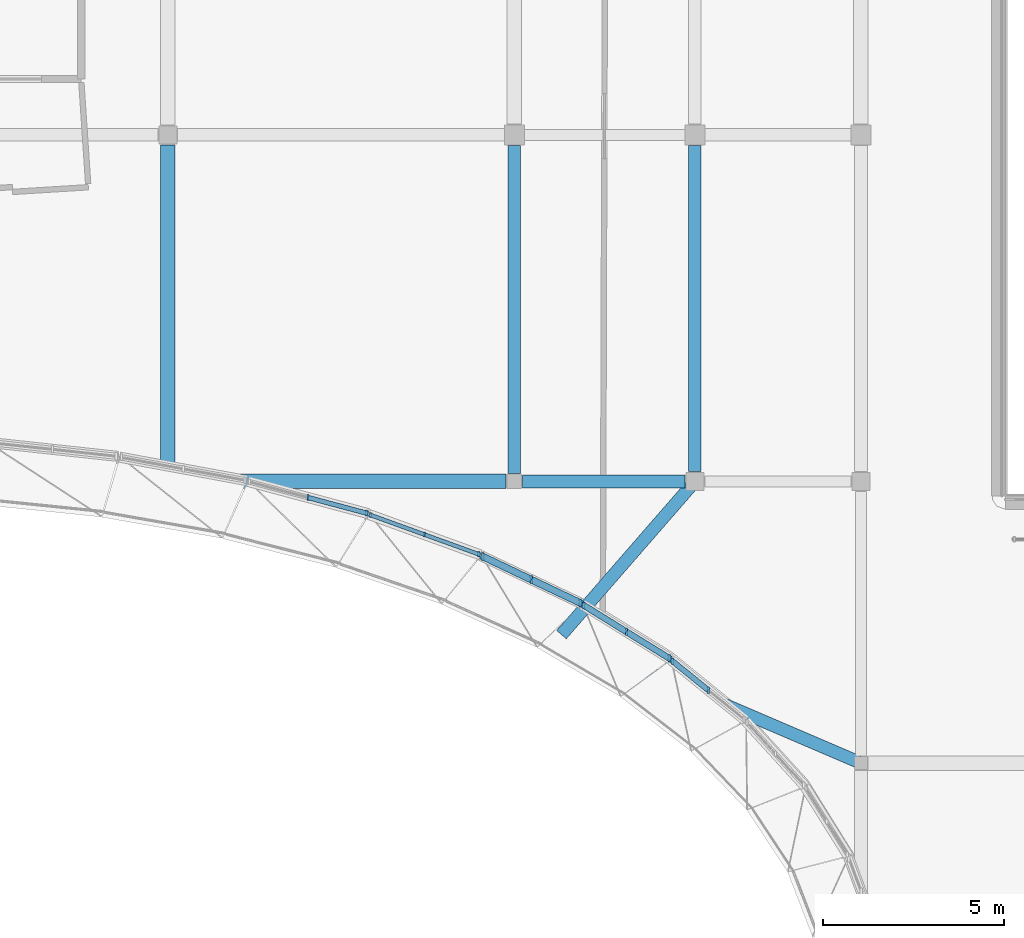
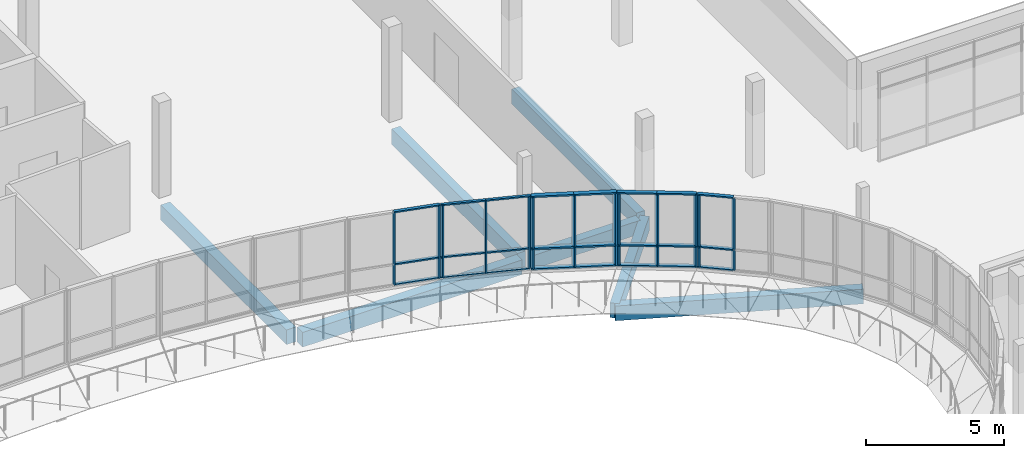
# One storey, part 24 of 84: 37 members, 7 beams, 5 elements without a shape of their own.
"""IFC4 building model written with IfcOpenShell, lengths in metres."""

import ifcopenshell
import ifcopenshell.guid

model = None  # the IFC model being written
_history = None  # IfcOwnerHistory: only IFC2X3 demands one
_inside = {}  # id of a spatial element -> (the spatial element, [elements in it])
_under = {}  # id of a project, library or spatial element -> (it, [spatial elements below it])
_declared = {}  # id of a project -> (the project, [libraries it declares])
_typed = {}  # id of a type object -> (the type object, [elements of that type])
_made_of = {}  # id of a material, layer set ... -> (it, [elements and type objects made of it])


def new_model(schema):
    """Start an empty IFC model of exactly this schema.

    Asked for "IFC4X3", IfcOpenShell would pick the latest addendum, in which some entities
    have other attributes; the version numbers below select the first issue.
    IFC2X3 requires an IfcOwnerHistory on every rooted entity: one is made here for all.
    """
    global model, _history
    if schema == "IFC4X3":
        model = ifcopenshell.file(schema_version=(4, 3, 0, 0))
    else:
        model = ifcopenshell.file(schema=schema)
    _inside.clear()
    _under.clear()
    _declared.clear()
    _typed.clear()
    _made_of.clear()
    _history = None
    if model.schema == "IFC2X3":
        org = make("IfcOrganization", Name="unknown")
        user = make(
            "IfcPersonAndOrganization",
            ThePerson=make("IfcPerson", FamilyName="unknown"),
            TheOrganization=org,
        )
        app = make(
            "IfcApplication",
            ApplicationDeveloper=org,
            Version="unknown",
            ApplicationFullName="unknown",
            ApplicationIdentifier="unknown",
        )
        _history = make(
            "IfcOwnerHistory",
            OwningUser=user,
            OwningApplication=app,
            ChangeAction="ADDED",
            CreationDate=0,
        )
    return model


def make(cls, **values):
    """One entity of the class cls with the attributes given. An attribute that is None is left unset."""
    return model.create_entity(
        cls, **{name: value for name, value in values.items() if value is not None}
    )


def rooted(cls, **values):
    """An entity with a GlobalId (a new one), such as an element, a storey or a relation."""
    return make(cls, GlobalId=ifcopenshell.guid.new(), OwnerHistory=_history, **values)


def si_unit(unit_type, name, prefix=None):
    """IfcSIUnit, for example si_unit("LENGTHUNIT", "METRE", prefix="MILLI")."""
    return make("IfcSIUnit", UnitType=unit_type, Prefix=prefix, Name=name)


def assignment(units):
    """IfcUnitAssignment: the units of a project."""
    return None if units is None else make("IfcUnitAssignment", Units=units)


def point(xyz):
    """IfcCartesianPoint."""
    return None if xyz is None else make("IfcCartesianPoint", Coordinates=xyz)


def direction(xyz):
    """IfcDirection."""
    return None if xyz is None else make("IfcDirection", DirectionRatios=xyz)


def frame(location, z_axis=None, x_axis=None):
    """IfcAxis2Placement3D, a coordinate frame: its origin and axes. An axis left out is left unset."""
    return make(
        "IfcAxis2Placement3D",
        Location=point(location),
        Axis=direction(z_axis),
        RefDirection=direction(x_axis),
    )


def frame_2d(location, x_axis=None):
    """IfcAxis2Placement2D, a coordinate frame in the plane: its origin and x axis."""
    return make(
        "IfcAxis2Placement2D", Location=point(location), RefDirection=direction(x_axis)
    )


def origin():
    """The frame at (0, 0, 0) with its axes left unset."""
    return frame((0.0, 0.0, 0.0))


def origin_2d():
    """The frame at (0, 0) in the plane with its x axis left unset."""
    return frame_2d((0.0, 0.0))


def place(relative_to, where):
    """IfcLocalPlacement: puts the frame where relative to a parent placement (None: the world)."""
    return make(
        "IfcLocalPlacement", PlacementRelTo=relative_to, RelativePlacement=where
    )


def context(
    kind, dimensions, precision=None, world=None, true_north=None, identifier=None
):
    """IfcGeometricRepresentationContext, for example the 3D "Model" context."""
    return make(
        "IfcGeometricRepresentationContext",
        ContextIdentifier=identifier,
        ContextType=kind,
        CoordinateSpaceDimension=dimensions,
        Precision=precision,
        WorldCoordinateSystem=world,
        TrueNorth=true_north,
    )


def subcontext(parent, identifier, kind, view, scale=None):
    """IfcGeometricRepresentationSubContext, for example "Body" below "Model"."""
    return make(
        "IfcGeometricRepresentationSubContext",
        ContextIdentifier=identifier,
        ContextType=kind,
        ParentContext=parent,
        TargetScale=scale,
        TargetView=view,
    )


def project(units=None, contexts=None):
    """IfcProject with its units and contexts."""
    return rooted(
        "IfcProject",
        Name="project",
        RepresentationContexts=contexts,
        UnitsInContext=assignment(units),
    )


def spatial(cls, under=None, at=None, **own):
    """A site, building, storey or space (cls), placed at a placement, below another one or the project."""
    s = rooted(cls, ObjectPlacement=at, **own)
    if under is not None:
        _under.setdefault(under.id(), (under, []))[1].append(s)
    return s


def profile(cls, at=None, kind="AREA", **sizes):
    """A parametric profile (cls). Its sizes go by their IFC names, for example OverallWidth=200.0."""
    return make(cls, ProfileType=kind, Position=at, **sizes)


def rectangle(**sizes):
    """IfcRectangleProfileDef."""
    return profile("IfcRectangleProfileDef", **sizes)


def extrude(swept, where, along, depth):
    """IfcExtrudedAreaSolid: the profile swept, set in the frame where, extruded along a direction by depth."""
    return make(
        "IfcExtrudedAreaSolid",
        SweptArea=swept,
        Position=where,
        ExtrudedDirection=direction(along),
        Depth=depth,
    )


def shape(context_of_items, identifier, shape_type, items):
    """IfcShapeRepresentation: the items that make up one representation, for example the "Body"."""
    return make(
        "IfcShapeRepresentation",
        ContextOfItems=context_of_items,
        RepresentationIdentifier=identifier,
        RepresentationType=shape_type,
        Items=items,
    )


def material(Name=None, Category=None):
    """IfcMaterial."""
    return make("IfcMaterial", Name=Name, Category=Category)


def material_profile(
    of_material, cross_section, Name=None, Category=None, Priority=None
):
    """IfcMaterialProfile: a cross section and its material."""
    return make(
        "IfcMaterialProfile",
        Name=Name,
        Material=of_material,
        Profile=cross_section,
        Priority=Priority,
        Category=Category,
    )


def profile_set(profiles, Name=None, composite=None):
    """IfcMaterialProfileSet."""
    return make(
        "IfcMaterialProfileSet",
        Name=Name,
        MaterialProfiles=profiles,
        CompositeProfile=composite,
    )


def made_of(thing, what):
    """Note that an element or type object is made of a material, layer set ...; save() writes the relation."""
    if what is not None:
        _made_of.setdefault(what.id(), (what, []))[1].append(thing)
    return thing


def type_object(cls, material=None, **own):
    """A type object (cls), such as IfcWallType, which elements share."""
    return made_of(rooted(cls, **own), material)


def element(
    cls,
    number,
    at=None,
    inside=None,
    cuts=None,
    type_object=None,
    material=None,
    context=None,
    identifier="Body",
    shape_type=None,
    held_by="IfcProductDefinitionShape",
    body=None,
    shapes=None,
    **own,
):
    """One element of the class cls, such as IfcWall. Its Tag is "e" and its number.

    at: its placement. inside: the storey or other place that contains it. cuts: it is an
    opening in that element (IfcRelVoidsElement). A single representation is given by context,
    identifier, shape_type and body (its items); several are given by shapes. held_by: the class
    of the entity that holds the representations. save() writes the other relations.
    """
    e = rooted(cls, Tag="e%d" % number, ObjectPlacement=at, **own)
    if body is not None:
        shapes = [shape(context, identifier, shape_type, body)]
    if shapes is not None:
        e.Representation = make(held_by, Representations=shapes)
    if inside is not None:
        _inside.setdefault(inside.id(), (inside, []))[1].append(e)
    if cuts is not None:
        rooted(
            "IfcRelVoidsElement", RelatingBuildingElement=cuts, RelatedOpeningElement=e
        )
    if type_object is not None:
        _typed.setdefault(type_object.id(), (type_object, []))[1].append(e)
    return made_of(e, material)


def aggregate(whole, parts):
    """IfcRelAggregates: a whole, such as a stair, and the parts it consists of."""
    return rooted("IfcRelAggregates", RelatingObject=whole, RelatedObjects=parts)


def save(model, path):
    """Write the relations noted so far, then the file.

    IfcRelAggregates (storeys below a building ...), IfcRelContainedInSpatialStructure (elements
    in a storey), IfcRelDefinesByType, IfcRelAssociatesMaterial and IfcRelDeclares: one each for
    every whole, place, type object, material and project.
    """
    for whole, parts in _under.values():
        aggregate(whole, parts)
    for where, things in _inside.values():
        rooted(
            "IfcRelContainedInSpatialStructure",
            RelatedElements=things,
            RelatingStructure=where,
        )
    for kind, things in _typed.values():
        rooted("IfcRelDefinesByType", RelatedObjects=things, RelatingType=kind)
    for what, things in _made_of.values():
        rooted("IfcRelAssociatesMaterial", RelatedObjects=things, RelatingMaterial=what)
    for by, libraries in _declared.values():
        rooted("IfcRelDeclares", RelatingContext=by, RelatedDefinitions=libraries)
    model.write(path)


model = new_model("IFC4")

# Units and contexts
model_context = context("Model", 3, precision=1e-05, world=origin(), true_north=direction((0.0, 1.0)))
body_context = subcontext(model_context, "Body", "Model", "MODEL_VIEW")
ifc_project = project(units=[si_unit("LENGTHUNIT", "METRE"), si_unit("AREAUNIT", "SQUARE_METRE"), si_unit("VOLUMEUNIT", "CUBIC_METRE"), si_unit("PLANEANGLEUNIT", "RADIAN"), si_unit("MASSUNIT", "GRAM", prefix="KILO")], contexts=[model_context])

# Site, building, storey
site_placement = place(None, origin())
site = spatial("IfcSite", under=ifc_project, at=site_placement, CompositionType="ELEMENT")
building_placement = place(site_placement, origin())
building = spatial("IfcBuilding", under=site, at=building_placement, Name="Mzevani Central Library", CompositionType="ELEMENT")
storey_placement = place(building_placement, frame((0.0, 0.0, 5.39990234375)))
storey = spatial("IfcBuildingStorey", under=building, at=storey_placement, Name="L01", CompositionType="ELEMENT", Elevation=5.39990234375)

# Beams
ifc_material_1 = material(Name="Concrete C35/45", Category="concrete")
ifc_material_profile_1 = material_profile(ifc_material_1, rectangle(XDim=0.35009765625, YDim=0.60009765625, at=origin_2d()), Name="RC B350x600")
ifc_profile_set_1 = profile_set([ifc_material_profile_1], Name="Concrete C35/45")
beam_type_1 = type_object("IfcBeamType", Name="Beam RC 350x600", PredefinedType="BEAM", material=ifc_profile_set_1)
beam_1_placement = place(storey_placement, frame((102.625, 90.39990234375, -0.579833984375), z_axis=(1.0, 0.0, 0.0), x_axis=(0.0, 1.0, 0.0)))
element("IfcBeam", 1, at=beam_1_placement, inside=storey, type_object=beam_type_1, Name="L01 V3 Girder B-04 (459)", PredefinedType="BEAM", context=body_context, shape_type="SweptSolid", body=[
    extrude(rectangle(XDim=0.35009765625, YDim=0.60009765625, at=origin_2d()), origin(), (0.0, 0.0, 1.0), 4.5),
])
ifc_material_profile_2 = material_profile(ifc_material_1, rectangle(XDim=0.35009765625, YDim=0.64990234375, at=origin_2d()), Name="RC B350x650")
ifc_profile_set_2 = profile_set([ifc_material_profile_2], Name="Concrete C35/45")
beam_type_2 = type_object("IfcBeamType", Name="Beam RC 350x650", PredefinedType="BEAM", material=ifc_profile_set_2)
beam_2_placement = place(storey_placement, frame((107.39990234375, 90.675048828125, -0.60498046875), z_axis=(0.0, 1.0, 0.0), x_axis=(-1.0, 0.0, 0.0)))
element("IfcBeam", 2, at=beam_2_placement, inside=storey, type_object=beam_type_2, Name="L01 V3 Frame Beam B-05 (516)", PredefinedType="BEAM", context=body_context, shape_type="SweptSolid", body=[
    extrude(rectangle(XDim=0.35009765625, YDim=0.64990234375, at=origin_2d()), origin(), (0.0, 0.0, 1.0), 9.02490234375),
])
beam_3_placement = place(storey_placement, frame((112.0, 82.60009765625, -0.60498046875), z_axis=(-0.919090446038, 0.394046636835, 0.0), x_axis=(-0.394046636835, -0.919090446038, 0.0)))
element("IfcBeam", 3, at=beam_3_placement, inside=storey, type_object=beam_type_2, Name="L01 V3 Court Ring Beam 3", PredefinedType="BEAM", context=body_context, shape_type="SweptSolid", body=[
    extrude(rectangle(XDim=0.35009765625, YDim=0.64990234375, at=origin_2d()), origin(), (0.0, 0.0, 1.0), 9.024169921875),
])
beam_4_placement = place(storey_placement, frame((103.7060546875, 86.156005859375, -0.60498046875), z_axis=(0.656533165008, 0.754297158449, 0.0), x_axis=(-0.754297158449, 0.656533165008, 0.0)))
element("IfcBeam", 4, at=beam_4_placement, inside=storey, type_object=beam_type_2, Name="L01 V3 Court Ring Beam 4", PredefinedType="BEAM", context=body_context, shape_type="SweptSolid", body=[
    extrude(rectangle(XDim=0.35009765625, YDim=0.64990234375, at=origin_2d()), origin(), (0.0, 0.0, 1.0), 5.626220703125),
])
ifc_material_profile_3 = material_profile(ifc_material_1, rectangle(XDim=0.35009765625, YDim=0.699951171875, at=origin_2d()), Name="RC B350x700")
ifc_profile_set_3 = profile_set([ifc_material_profile_3], Name="Concrete C35/45")
beam_type_3 = type_object("IfcBeamType", Name="Beam RC 350x700", PredefinedType="BEAM", material=ifc_profile_set_3)
beam_5_placement = place(storey_placement, frame((102.39990234375, 90.625, -0.6298828125), z_axis=(0.0, 1.0, 0.0), x_axis=(-1.0, 0.0, 0.0)))
element("IfcBeam", 5, at=beam_5_placement, inside=storey, type_object=beam_type_3, Name="L01 V3 Frame Beam B-06 (513)", PredefinedType="BEAM", context=body_context, shape_type="SweptSolid", body=[
    extrude(rectangle(XDim=0.35009765625, YDim=0.699951171875, at=origin_2d()), origin(), (0.0, 0.0, 1.0), 9.074951171875),
])
ifc_material_profile_4 = material_profile(ifc_material_1, rectangle(XDim=0.39990234375, YDim=0.64990234375, at=origin_2d()), Name="RC B400x650")
ifc_profile_set_4 = profile_set([ifc_material_profile_4], Name="Concrete C35/45")
beam_type_4 = type_object("IfcBeamType", Name="Beam RC 400x650", PredefinedType="BEAM", material=ifc_profile_set_4)
beam_6_placement = place(storey_placement, frame((93.02490234375, 90.39990234375, -0.60498046875), z_axis=(1.0, 0.0, 0.0), x_axis=(0.0, 1.0, 0.0)))
element("IfcBeam", 6, at=beam_6_placement, inside=storey, type_object=beam_type_4, Name="L01 V3 Girder B-07 (458)", PredefinedType="BEAM", context=body_context, shape_type="SweptSolid", body=[
    extrude(rectangle(XDim=0.39990234375, YDim=0.64990234375, at=origin_2d()), origin(), (0.0, 0.0, 1.0), 9.150146484375),
])
beam_7_placement = place(storey_placement, frame((92.800048828125, 90.625, -0.60498046875), z_axis=(0.0, 1.0, 0.0), x_axis=(-1.0, 0.0, 0.0)))
element("IfcBeam", 7, at=beam_7_placement, inside=storey, type_object=beam_type_4, Name="L01 V3 Frame Beam B-07 (510)", PredefinedType="BEAM", context=body_context, shape_type="SweptSolid", body=[
    extrude(rectangle(XDim=0.39990234375, YDim=0.64990234375, at=origin_2d()), origin(), (0.0, 0.0, 1.0), 9.10009765625),
])

# Curtain wall, members
ifc_material_2 = material(Name="Thermally broken aluminium and Low-E triple glazing", Category="aluminium")
curtain_wall_type_1 = type_object("IfcCurtainWallType", Name="Elliptical Court Unitised Curtain Wall", PredefinedType="NOTDEFINED", material=ifc_material_2)
curtain_wall_1_placement = place(storey_placement, origin())
curtain_wall_1 = element("IfcCurtainWall", 8, at=curtain_wall_1_placement, inside=storey, type_object=curtain_wall_type_1, Name="L01 Elliptical Court Curtain Wall 8", PredefinedType="NOTDEFINED")
ifc_material_3 = material(Name="Thermally broken aluminium AW-6060", Category="aluminium")
ifc_material_profile_5 = material_profile(ifc_material_3, rectangle(XDim=0.06005859375, YDim=0.139892578125, at=origin_2d()), Name="ALU M60x140")
ifc_profile_set_5 = profile_set([ifc_material_profile_5], Name="Thermally broken aluminium AW-6060")
member_type_1 = type_object("IfcMemberType", Name="CW Mullion 60x140", PredefinedType="MULLION", material=ifc_profile_set_5)
member_1_placement = place(storey_placement, frame((101.41259765625, 88.383056640625, 0.72021484375), z_axis=(0.0, 0.0, 1.0), x_axis=(1.0, 0.0, 0.0)))
member_1 = element("IfcMember", 9, at=member_1_placement, type_object=member_type_1, Name="L01 Elliptical Court Curtain Wall 8 Mullion 1", PredefinedType="MULLION", context=body_context, shape_type="SweptSolid", body=[
    extrude(rectangle(XDim=0.06005859375, YDim=0.139892578125, at=origin_2d()), origin(), (0.0, 0.0, 1.0), 3.199951171875),
])
member_2_placement = place(storey_placement, frame((99.915283203125, 88.926025390625, 0.72021484375), z_axis=(0.0, 0.0, 1.0), x_axis=(1.0, 0.0, 0.0)))
member_2 = element("IfcMember", 10, at=member_2_placement, type_object=member_type_1, Name="L01 Elliptical Court Curtain Wall 8 Mullion 2", PredefinedType="MULLION", context=body_context, shape_type="SweptSolid", body=[
    extrude(rectangle(XDim=0.06005859375, YDim=0.139892578125, at=origin_2d()), origin(), (0.0, 0.0, 1.0), 3.199951171875),
])
member_3_placement = place(storey_placement, frame((98.417724609375, 89.468994140625, 0.72021484375), z_axis=(0.0, 0.0, 1.0), x_axis=(1.0, 0.0, 0.0)))
member_3 = element("IfcMember", 11, at=member_3_placement, type_object=member_type_1, Name="L01 Elliptical Court Curtain Wall 8 Mullion 3", PredefinedType="MULLION", context=body_context, shape_type="SweptSolid", body=[
    extrude(rectangle(XDim=0.06005859375, YDim=0.139892578125, at=origin_2d()), origin(), (0.0, 0.0, 1.0), 3.199951171875),
])

curtain_wall_2_placement = place(storey_placement, origin())
curtain_wall_2 = element("IfcCurtainWall", 12, at=curtain_wall_2_placement, inside=storey, type_object=curtain_wall_type_1, Name="L01 Elliptical Court Curtain Wall 9", PredefinedType="NOTDEFINED")
ifc_material_profile_6 = material_profile(ifc_material_3, rectangle(XDim=0.06005859375, YDim=0.159912109375, at=origin_2d()), Name="ALU M60x160")
ifc_profile_set_6 = profile_set([ifc_material_profile_6], Name="Thermally broken aluminium AW-6060")
member_type_2 = type_object("IfcMemberType", Name="CW Mullion 60x160", PredefinedType="MULLION", material=ifc_profile_set_6)
member_4_placement = place(storey_placement, frame((98.2998046875, 89.523193359375, 0.72021484375), z_axis=(0.0, 0.0, 1.0), x_axis=(1.0, 0.0, 0.0)))
member_4 = element("IfcMember", 13, at=member_4_placement, type_object=member_type_2, Name="L01 Elliptical Court Curtain Wall 9 Mullion 1", PredefinedType="MULLION", context=body_context, shape_type="SweptSolid", body=[
    extrude(rectangle(XDim=0.06005859375, YDim=0.159912109375, at=origin_2d()), origin(), (0.0, 0.0, 1.0), 3.199951171875),
])
member_5_placement = place(storey_placement, frame((96.68212890625, 89.9560546875, 0.72021484375), z_axis=(0.0, 0.0, 1.0), x_axis=(1.0, 0.0, 0.0)))
member_5 = element("IfcMember", 14, at=member_5_placement, type_object=member_type_2, Name="L01 Elliptical Court Curtain Wall 9 Mullion 2", PredefinedType="MULLION", context=body_context, shape_type="SweptSolid", body=[
    extrude(rectangle(XDim=0.06005859375, YDim=0.159912109375, at=origin_2d()), origin(), (0.0, 0.0, 1.0), 3.199951171875),
])

curtain_wall_3_placement = place(storey_placement, origin())
curtain_wall_3 = element("IfcCurtainWall", 15, at=curtain_wall_3_placement, inside=storey, type_object=curtain_wall_type_1, Name="L01 Elliptical Court Curtain Wall 5", PredefinedType="NOTDEFINED")
ifc_material_profile_7 = material_profile(ifc_material_3, rectangle(XDim=0.06005859375, YDim=0.179931640625, at=origin_2d()), Name="ALU M60x180")
ifc_profile_set_7 = profile_set([ifc_material_profile_7], Name="Thermally broken aluminium AW-6060")
member_type_3 = type_object("IfcMemberType", Name="CW Mullion 60x180", PredefinedType="MULLION", material=ifc_profile_set_7)
member_6_placement = place(storey_placement, frame((107.77001953125, 84.619384765625, 0.72021484375), z_axis=(0.0, 0.0, 1.0), x_axis=(1.0, 0.0, 0.0)))
member_6 = element("IfcMember", 16, at=member_6_placement, type_object=member_type_3, Name="L01 Elliptical Court Curtain Wall 5 Mullion 2", PredefinedType="MULLION", context=body_context, shape_type="SweptSolid", body=[
    extrude(rectangle(XDim=0.06005859375, YDim=0.179931640625, at=origin_2d()), origin(), (0.0, 0.0, 1.0), 3.199951171875),
])
member_7_placement = place(storey_placement, frame((106.77685546875, 85.42578125, 0.72021484375), z_axis=(0.0, 0.0, 1.0), x_axis=(1.0, 0.0, 0.0)))
member_7 = element("IfcMember", 17, at=member_7_placement, type_object=member_type_3, Name="L01 Elliptical Court Curtain Wall 5 Mullion 3", PredefinedType="MULLION", context=body_context, shape_type="SweptSolid", body=[
    extrude(rectangle(XDim=0.06005859375, YDim=0.179931640625, at=origin_2d()), origin(), (0.0, 0.0, 1.0), 3.199951171875),
])

curtain_wall_4_placement = place(storey_placement, origin())
curtain_wall_4 = element("IfcCurtainWall", 18, at=curtain_wall_4_placement, inside=storey, type_object=curtain_wall_type_1, Name="L01 Elliptical Court Curtain Wall 6", PredefinedType="NOTDEFINED")
ifc_material_profile_8 = material_profile(ifc_material_3, rectangle(XDim=0.06494140625, YDim=0.199951171875, at=origin_2d()), Name="ALU M65x200")
ifc_profile_set_8 = profile_set([ifc_material_profile_8], Name="Thermally broken aluminium AW-6060")
member_type_4 = type_object("IfcMemberType", Name="CW Mullion 65x200", PredefinedType="MULLION", material=ifc_profile_set_8)
member_8_placement = place(storey_placement, frame((106.6875, 85.50341796875, 0.72021484375), z_axis=(0.0, 0.0, 1.0), x_axis=(1.0, 0.0, 0.0)))
member_8 = element("IfcMember", 19, at=member_8_placement, type_object=member_type_4, Name="L01 Elliptical Court Curtain Wall 6 Mullion 1", PredefinedType="MULLION", context=body_context, shape_type="SweptSolid", body=[
    extrude(rectangle(XDim=0.06494140625, YDim=0.199951171875, at=origin_2d()), origin(), (0.0, 0.0, 1.0), 3.199951171875),
])
member_9_placement = place(storey_placement, frame((105.505126953125, 86.23486328125, 0.72021484375), z_axis=(0.0, 0.0, 1.0), x_axis=(1.0, 0.0, 0.0)))
member_9 = element("IfcMember", 20, at=member_9_placement, type_object=member_type_4, Name="L01 Elliptical Court Curtain Wall 6 Mullion 2", PredefinedType="MULLION", context=body_context, shape_type="SweptSolid", body=[
    extrude(rectangle(XDim=0.06494140625, YDim=0.199951171875, at=origin_2d()), origin(), (0.0, 0.0, 1.0), 3.199951171875),
])
member_10_placement = place(storey_placement, frame((104.322998046875, 86.96630859375, 0.72021484375), z_axis=(0.0, 0.0, 1.0), x_axis=(1.0, 0.0, 0.0)))
member_10 = element("IfcMember", 21, at=member_10_placement, type_object=member_type_4, Name="L01 Elliptical Court Curtain Wall 6 Mullion 3", PredefinedType="MULLION", context=body_context, shape_type="SweptSolid", body=[
    extrude(rectangle(XDim=0.06494140625, YDim=0.199951171875, at=origin_2d()), origin(), (0.0, 0.0, 1.0), 3.199951171875),
])

curtain_wall_type_2 = type_object("IfcCurtainWallType", Name="Reading Hall Northlight Curtain Wall", PredefinedType="NOTDEFINED", material=ifc_material_2)
curtain_wall_5_placement = place(storey_placement, origin())
curtain_wall_5 = element("IfcCurtainWall", 22, at=curtain_wall_5_placement, inside=storey, type_object=curtain_wall_type_2, Name="L01 Elliptical Court Curtain Wall 7", PredefinedType="NOTDEFINED")
ifc_material_profile_9 = material_profile(ifc_material_3, rectangle(XDim=0.070068359375, YDim=0.219970703125, at=origin_2d()), Name="ALU M70x220")
ifc_profile_set_9 = profile_set([ifc_material_profile_9], Name="Thermally broken aluminium AW-6060")
member_type_5 = type_object("IfcMemberType", Name="CW Mullion 70x220", PredefinedType="MULLION", material=ifc_profile_set_9)
member_11_placement = place(storey_placement, frame((104.2236328125, 87.035400390625, 0.72021484375), z_axis=(0.0, 0.0, 1.0), x_axis=(1.0, 0.0, 0.0)))
member_11 = element("IfcMember", 23, at=member_11_placement, type_object=member_type_5, Name="L01 Elliptical Court Curtain Wall 7 Mullion 1", PredefinedType="MULLION", context=body_context, shape_type="SweptSolid", body=[
    extrude(rectangle(XDim=0.070068359375, YDim=0.219970703125, at=origin_2d()), origin(), (0.0, 0.0, 1.0), 3.199951171875),
])
member_12_placement = place(storey_placement, frame((102.872314453125, 87.678466796875, 0.72021484375), z_axis=(0.0, 0.0, 1.0), x_axis=(1.0, 0.0, 0.0)))
member_12 = element("IfcMember", 24, at=member_12_placement, type_object=member_type_5, Name="L01 Elliptical Court Curtain Wall 7 Mullion 2", PredefinedType="MULLION", context=body_context, shape_type="SweptSolid", body=[
    extrude(rectangle(XDim=0.070068359375, YDim=0.219970703125, at=origin_2d()), origin(), (0.0, 0.0, 1.0), 3.199951171875),
])
member_13_placement = place(storey_placement, frame((101.52099609375, 88.32177734375, 0.72021484375), z_axis=(0.0, 0.0, 1.0), x_axis=(1.0, 0.0, 0.0)))
member_13 = element("IfcMember", 25, at=member_13_placement, type_object=member_type_5, Name="L01 Elliptical Court Curtain Wall 7 Mullion 3", PredefinedType="MULLION", context=body_context, shape_type="SweptSolid", body=[
    extrude(rectangle(XDim=0.070068359375, YDim=0.219970703125, at=origin_2d()), origin(), (0.0, 0.0, 1.0), 3.199951171875),
])

# Member
ifc_material_profile_10 = material_profile(ifc_material_3, rectangle(XDim=0.110107421875, YDim=0.06005859375, at=origin_2d()), Name="ALU T60x110")
ifc_profile_set_10 = profile_set([ifc_material_profile_10], Name="Thermally broken aluminium AW-6060")
member_type_6 = type_object("IfcMemberType", Name="CW Transom 60x110", PredefinedType="USERDEFINED", material=ifc_profile_set_10)
member_14_placement = place(storey_placement, frame((101.459716796875, 88.3662109375, 0.72021484375), z_axis=(-0.940144397718, 0.340776336384, 0.0), x_axis=(-0.340776336384, -0.940144397718, 0.0)))
member_14 = element("IfcMember", 26, at=member_14_placement, type_object=member_type_6, Name="L01 Elliptical Court Curtain Wall 8 Transom 1", ObjectType="TRANSOM", PredefinedType="USERDEFINED", context=body_context, shape_type="SweptSolid", body=[
    extrude(rectangle(XDim=0.110107421875, YDim=0.06005859375, at=origin_2d()), origin(), (0.0, 0.0, 1.0), 1.642822265625),
])

member_15_placement = place(storey_placement, frame((101.459716796875, 88.3662109375, 1.6201171875), z_axis=(-0.940144397718, 0.340776336384, 0.0), x_axis=(-0.340776336384, -0.940144397718, 0.0)))
member_15 = element("IfcMember", 27, at=member_15_placement, type_object=member_type_6, Name="L01 Elliptical Court Curtain Wall 8 Transom 2", ObjectType="TRANSOM", PredefinedType="USERDEFINED", context=body_context, shape_type="SweptSolid", body=[
    extrude(rectangle(XDim=0.110107421875, YDim=0.06005859375, at=origin_2d()), origin(), (0.0, 0.0, 1.0), 1.642822265625),
])

member_16_placement = place(storey_placement, frame((101.459716796875, 88.3662109375, 3.920166015625), z_axis=(-0.940144397718, 0.340776336384, 0.0), x_axis=(-0.340776336384, -0.940144397718, 0.0)))
member_16 = element("IfcMember", 28, at=member_16_placement, type_object=member_type_6, Name="L01 Elliptical Court Curtain Wall 8 Transom 3", ObjectType="TRANSOM", PredefinedType="USERDEFINED", context=body_context, shape_type="SweptSolid", body=[
    extrude(rectangle(XDim=0.110107421875, YDim=0.06005859375, at=origin_2d()), origin(), (0.0, 0.0, 1.0), 1.642822265625),
])

member_17_placement = place(storey_placement, frame((99.915283203125, 88.926025390625, 0.72021484375), z_axis=(-0.940096777535, 0.340907683792, 0.0), x_axis=(-0.340907683792, -0.940096777535, 0.0)))
member_17 = element("IfcMember", 29, at=member_17_placement, type_object=member_type_6, Name="L01 Elliptical Court Curtain Wall 8 Transom 4", ObjectType="TRANSOM", PredefinedType="USERDEFINED", context=body_context, shape_type="SweptSolid", body=[
    extrude(rectangle(XDim=0.110107421875, YDim=0.06005859375, at=origin_2d()), origin(), (0.0, 0.0, 1.0), 1.642822265625),
])

member_18_placement = place(storey_placement, frame((99.915283203125, 88.926025390625, 1.6201171875), z_axis=(-0.940096777535, 0.340907683792, 0.0), x_axis=(-0.340907683792, -0.940096777535, 0.0)))
member_18 = element("IfcMember", 30, at=member_18_placement, type_object=member_type_6, Name="L01 Elliptical Court Curtain Wall 8 Transom 5", ObjectType="TRANSOM", PredefinedType="USERDEFINED", context=body_context, shape_type="SweptSolid", body=[
    extrude(rectangle(XDim=0.110107421875, YDim=0.06005859375, at=origin_2d()), origin(), (0.0, 0.0, 1.0), 1.642822265625),
])

member_19_placement = place(storey_placement, frame((99.915283203125, 88.926025390625, 3.920166015625), z_axis=(-0.940096777535, 0.340907683792, 0.0), x_axis=(-0.340907683792, -0.940096777535, 0.0)))
member_19 = element("IfcMember", 31, at=member_19_placement, type_object=member_type_6, Name="L01 Elliptical Court Curtain Wall 8 Transom 6", ObjectType="TRANSOM", PredefinedType="USERDEFINED", context=body_context, shape_type="SweptSolid", body=[
    extrude(rectangle(XDim=0.110107421875, YDim=0.06005859375, at=origin_2d()), origin(), (0.0, 0.0, 1.0), 1.642822265625),
])

aggregate(curtain_wall_1, [member_1, member_2, member_3, member_14, member_15, member_16, member_17, member_18, member_19])

ifc_material_profile_11 = material_profile(ifc_material_3, rectangle(XDim=0.1298828125, YDim=0.06005859375, at=origin_2d()), Name="ALU T60x130")
ifc_profile_set_11 = profile_set([ifc_material_profile_11], Name="Thermally broken aluminium AW-6060")
member_type_7 = type_object("IfcMemberType", Name="CW Transom 60x130", PredefinedType="USERDEFINED", material=ifc_profile_set_11)
member_20_placement = place(storey_placement, frame((98.347900390625, 89.51025390625, 0.72021484375), z_axis=(-0.966004264947, 0.258526130411, 0.0), x_axis=(-0.258526130411, -0.966004264947, 0.0)))
member_20 = element("IfcMember", 32, at=member_20_placement, type_object=member_type_7, Name="L01 Elliptical Court Curtain Wall 9 Transom 1", ObjectType="TRANSOM", PredefinedType="USERDEFINED", context=body_context, shape_type="SweptSolid", body=[
    extrude(rectangle(XDim=0.1298828125, YDim=0.06005859375, at=origin_2d()), origin(), (0.0, 0.0, 1.0), 1.724365234375),
])

member_21_placement = place(storey_placement, frame((98.347900390625, 89.51025390625, 1.6201171875), z_axis=(-0.966004264947, 0.258526130411, 0.0), x_axis=(-0.258526130411, -0.966004264947, 0.0)))
member_21 = element("IfcMember", 33, at=member_21_placement, type_object=member_type_7, Name="L01 Elliptical Court Curtain Wall 9 Transom 2", ObjectType="TRANSOM", PredefinedType="USERDEFINED", context=body_context, shape_type="SweptSolid", body=[
    extrude(rectangle(XDim=0.1298828125, YDim=0.06005859375, at=origin_2d()), origin(), (0.0, 0.0, 1.0), 1.724365234375),
])

member_22_placement = place(storey_placement, frame((98.347900390625, 89.51025390625, 3.920166015625), z_axis=(-0.966004264947, 0.258526130411, 0.0), x_axis=(-0.258526130411, -0.966004264947, 0.0)))
member_22 = element("IfcMember", 34, at=member_22_placement, type_object=member_type_7, Name="L01 Elliptical Court Curtain Wall 9 Transom 3", ObjectType="TRANSOM", PredefinedType="USERDEFINED", context=body_context, shape_type="SweptSolid", body=[
    extrude(rectangle(XDim=0.1298828125, YDim=0.06005859375, at=origin_2d()), origin(), (0.0, 0.0, 1.0), 1.724365234375),
])

aggregate(curtain_wall_2, [member_4, member_5, member_20, member_21, member_22])

ifc_material_profile_12 = material_profile(ifc_material_3, rectangle(XDim=0.14990234375, YDim=0.06005859375, at=origin_2d()), Name="ALU T60x150")
ifc_profile_set_12 = profile_set([ifc_material_profile_12], Name="Thermally broken aluminium AW-6060")
member_type_8 = type_object("IfcMemberType", Name="CW Transom 60x150", PredefinedType="USERDEFINED", material=ifc_profile_set_12)
member_23_placement = place(storey_placement, frame((107.77001953125, 84.619384765625, 0.72021484375), z_axis=(-0.776243179452, 0.63043360186, 0.0), x_axis=(-0.63043360186, -0.776243179452, 0.0)))
member_23 = element("IfcMember", 35, at=member_23_placement, type_object=member_type_8, Name="L01 Elliptical Court Curtain Wall 5 Transom 4", ObjectType="TRANSOM", PredefinedType="USERDEFINED", context=body_context, shape_type="SweptSolid", body=[
    extrude(rectangle(XDim=0.14990234375, YDim=0.06005859375, at=origin_2d()), origin(), (0.0, 0.0, 1.0), 1.329345703125),
])

member_24_placement = place(storey_placement, frame((107.77001953125, 84.619384765625, 1.6201171875), z_axis=(-0.776243179452, 0.63043360186, 0.0), x_axis=(-0.63043360186, -0.776243179452, 0.0)))
member_24 = element("IfcMember", 36, at=member_24_placement, type_object=member_type_8, Name="L01 Elliptical Court Curtain Wall 5 Transom 5", ObjectType="TRANSOM", PredefinedType="USERDEFINED", context=body_context, shape_type="SweptSolid", body=[
    extrude(rectangle(XDim=0.14990234375, YDim=0.06005859375, at=origin_2d()), origin(), (0.0, 0.0, 1.0), 1.329345703125),
])

member_25_placement = place(storey_placement, frame((107.77001953125, 84.619384765625, 3.920166015625), z_axis=(-0.776243179452, 0.63043360186, 0.0), x_axis=(-0.63043360186, -0.776243179452, 0.0)))
member_25 = element("IfcMember", 37, at=member_25_placement, type_object=member_type_8, Name="L01 Elliptical Court Curtain Wall 5 Transom 6", ObjectType="TRANSOM", PredefinedType="USERDEFINED", context=body_context, shape_type="SweptSolid", body=[
    extrude(rectangle(XDim=0.14990234375, YDim=0.06005859375, at=origin_2d()), origin(), (0.0, 0.0, 1.0), 1.329345703125),
])

aggregate(curtain_wall_3, [member_6, member_7, member_23, member_24, member_25])

ifc_material_profile_13 = material_profile(ifc_material_3, rectangle(XDim=0.169921875, YDim=0.06494140625, at=origin_2d()), Name="ALU T65x170")
ifc_profile_set_13 = profile_set([ifc_material_profile_13], Name="Thermally broken aluminium AW-6060")
member_type_9 = type_object("IfcMemberType", Name="CW Transom 65x170", PredefinedType="USERDEFINED", material=ifc_profile_set_13)
member_26_placement = place(storey_placement, frame((106.72998046875, 85.47705078125, 0.72021484375), z_axis=(-0.850398776908, 0.526138689162, 0.0), x_axis=(-0.526138689162, -0.850398776908, 0.0)))
member_26 = element("IfcMember", 38, at=member_26_placement, type_object=member_type_9, Name="L01 Elliptical Court Curtain Wall 6 Transom 1", ObjectType="TRANSOM", PredefinedType="USERDEFINED", context=body_context, shape_type="SweptSolid", body=[
    extrude(rectangle(XDim=0.169921875, YDim=0.06494140625, at=origin_2d()), origin(), (0.0, 0.0, 1.0), 1.4404296875),
])

member_27_placement = place(storey_placement, frame((106.72998046875, 85.47705078125, 1.6201171875), z_axis=(-0.850398776908, 0.526138689162, 0.0), x_axis=(-0.526138689162, -0.850398776908, 0.0)))
member_27 = element("IfcMember", 39, at=member_27_placement, type_object=member_type_9, Name="L01 Elliptical Court Curtain Wall 6 Transom 2", ObjectType="TRANSOM", PredefinedType="USERDEFINED", context=body_context, shape_type="SweptSolid", body=[
    extrude(rectangle(XDim=0.169921875, YDim=0.06494140625, at=origin_2d()), origin(), (0.0, 0.0, 1.0), 1.4404296875),
])

member_28_placement = place(storey_placement, frame((106.72998046875, 85.47705078125, 3.920166015625), z_axis=(-0.850398776908, 0.526138689162, 0.0), x_axis=(-0.526138689162, -0.850398776908, 0.0)))
member_28 = element("IfcMember", 40, at=member_28_placement, type_object=member_type_9, Name="L01 Elliptical Court Curtain Wall 6 Transom 3", ObjectType="TRANSOM", PredefinedType="USERDEFINED", context=body_context, shape_type="SweptSolid", body=[
    extrude(rectangle(XDim=0.169921875, YDim=0.06494140625, at=origin_2d()), origin(), (0.0, 0.0, 1.0), 1.4404296875),
])

member_29_placement = place(storey_placement, frame((105.505126953125, 86.23486328125, 0.72021484375), z_axis=(-0.850351844492, 0.526214538538, 0.0), x_axis=(-0.526214538538, -0.850351844492, 0.0)))
member_29 = element("IfcMember", 41, at=member_29_placement, type_object=member_type_9, Name="L01 Elliptical Court Curtain Wall 6 Transom 4", ObjectType="TRANSOM", PredefinedType="USERDEFINED", context=body_context, shape_type="SweptSolid", body=[
    extrude(rectangle(XDim=0.169921875, YDim=0.06494140625, at=origin_2d()), origin(), (0.0, 0.0, 1.0), 1.440185546875),
])

member_30_placement = place(storey_placement, frame((105.505126953125, 86.23486328125, 1.6201171875), z_axis=(-0.850351844492, 0.526214538538, 0.0), x_axis=(-0.526214538538, -0.850351844492, 0.0)))
member_30 = element("IfcMember", 42, at=member_30_placement, type_object=member_type_9, Name="L01 Elliptical Court Curtain Wall 6 Transom 5", ObjectType="TRANSOM", PredefinedType="USERDEFINED", context=body_context, shape_type="SweptSolid", body=[
    extrude(rectangle(XDim=0.169921875, YDim=0.06494140625, at=origin_2d()), origin(), (0.0, 0.0, 1.0), 1.440185546875),
])

member_31_placement = place(storey_placement, frame((105.505126953125, 86.23486328125, 3.920166015625), z_axis=(-0.850351844492, 0.526214538538, 0.0), x_axis=(-0.526214538538, -0.850351844492, 0.0)))
member_31 = element("IfcMember", 43, at=member_31_placement, type_object=member_type_9, Name="L01 Elliptical Court Curtain Wall 6 Transom 6", ObjectType="TRANSOM", PredefinedType="USERDEFINED", context=body_context, shape_type="SweptSolid", body=[
    extrude(rectangle(XDim=0.169921875, YDim=0.06494140625, at=origin_2d()), origin(), (0.0, 0.0, 1.0), 1.440185546875),
])

aggregate(curtain_wall_4, [member_8, member_9, member_10, member_26, member_27, member_28, member_29, member_30, member_31])

ifc_material_profile_14 = material_profile(ifc_material_3, rectangle(XDim=0.18994140625, YDim=0.070068359375, at=origin_2d()), Name="ALU T70x190")
ifc_profile_set_14 = profile_set([ifc_material_profile_14], Name="Thermally broken aluminium AW-6060")
member_type_10 = type_object("IfcMemberType", Name="CW Transom 70x190", PredefinedType="USERDEFINED", material=ifc_profile_set_14)
member_32_placement = place(storey_placement, frame((104.268798828125, 87.013916015625, 0.72021484375), z_axis=(-0.902971371622, 0.42970071216, 0.0), x_axis=(-0.42970071216, -0.902971371622, 0.0)))
member_32 = element("IfcMember", 44, at=member_32_placement, type_object=member_type_10, Name="L01 Elliptical Court Curtain Wall 7 Transom 1", ObjectType="TRANSOM", PredefinedType="USERDEFINED", context=body_context, shape_type="SweptSolid", body=[
    extrude(rectangle(XDim=0.18994140625, YDim=0.070068359375, at=origin_2d()), origin(), (0.0, 0.0, 1.0), 1.546630859375),
])

member_33_placement = place(storey_placement, frame((104.268798828125, 87.013916015625, 1.6201171875), z_axis=(-0.902971371622, 0.42970071216, 0.0), x_axis=(-0.42970071216, -0.902971371622, 0.0)))
member_33 = element("IfcMember", 45, at=member_33_placement, type_object=member_type_10, Name="L01 Elliptical Court Curtain Wall 7 Transom 2", ObjectType="TRANSOM", PredefinedType="USERDEFINED", context=body_context, shape_type="SweptSolid", body=[
    extrude(rectangle(XDim=0.18994140625, YDim=0.070068359375, at=origin_2d()), origin(), (0.0, 0.0, 1.0), 1.546630859375),
])

member_34_placement = place(storey_placement, frame((104.268798828125, 87.013916015625, 3.920166015625), z_axis=(-0.902971371622, 0.42970071216, 0.0), x_axis=(-0.42970071216, -0.902971371622, 0.0)))
member_34 = element("IfcMember", 46, at=member_34_placement, type_object=member_type_10, Name="L01 Elliptical Court Curtain Wall 7 Transom 3", ObjectType="TRANSOM", PredefinedType="USERDEFINED", context=body_context, shape_type="SweptSolid", body=[
    extrude(rectangle(XDim=0.18994140625, YDim=0.070068359375, at=origin_2d()), origin(), (0.0, 0.0, 1.0), 1.546630859375),
])

member_35_placement = place(storey_placement, frame((102.872314453125, 87.678466796875, 0.72021484375), z_axis=(-0.902910114925, 0.429829413101, 0.0), x_axis=(-0.429829413101, -0.902910114925, 0.0)))
member_35 = element("IfcMember", 47, at=member_35_placement, type_object=member_type_10, Name="L01 Elliptical Court Curtain Wall 7 Transom 4", ObjectType="TRANSOM", PredefinedType="USERDEFINED", context=body_context, shape_type="SweptSolid", body=[
    extrude(rectangle(XDim=0.18994140625, YDim=0.070068359375, at=origin_2d()), origin(), (0.0, 0.0, 1.0), 1.546630859375),
])

member_36_placement = place(storey_placement, frame((102.872314453125, 87.678466796875, 1.6201171875), z_axis=(-0.902910114925, 0.429829413101, 0.0), x_axis=(-0.429829413101, -0.902910114925, 0.0)))
member_36 = element("IfcMember", 48, at=member_36_placement, type_object=member_type_10, Name="L01 Elliptical Court Curtain Wall 7 Transom 5", ObjectType="TRANSOM", PredefinedType="USERDEFINED", context=body_context, shape_type="SweptSolid", body=[
    extrude(rectangle(XDim=0.18994140625, YDim=0.070068359375, at=origin_2d()), origin(), (0.0, 0.0, 1.0), 1.546630859375),
])

member_37_placement = place(storey_placement, frame((102.872314453125, 87.678466796875, 3.920166015625), z_axis=(-0.902910114925, 0.429829413101, 0.0), x_axis=(-0.429829413101, -0.902910114925, 0.0)))
member_37 = element("IfcMember", 49, at=member_37_placement, type_object=member_type_10, Name="L01 Elliptical Court Curtain Wall 7 Transom 6", ObjectType="TRANSOM", PredefinedType="USERDEFINED", context=body_context, shape_type="SweptSolid", body=[
    extrude(rectangle(XDim=0.18994140625, YDim=0.070068359375, at=origin_2d()), origin(), (0.0, 0.0, 1.0), 1.546630859375),
])

aggregate(curtain_wall_5, [member_11, member_12, member_13, member_32, member_33, member_34, member_35, member_36, member_37])

save(model, "model.ifc")
